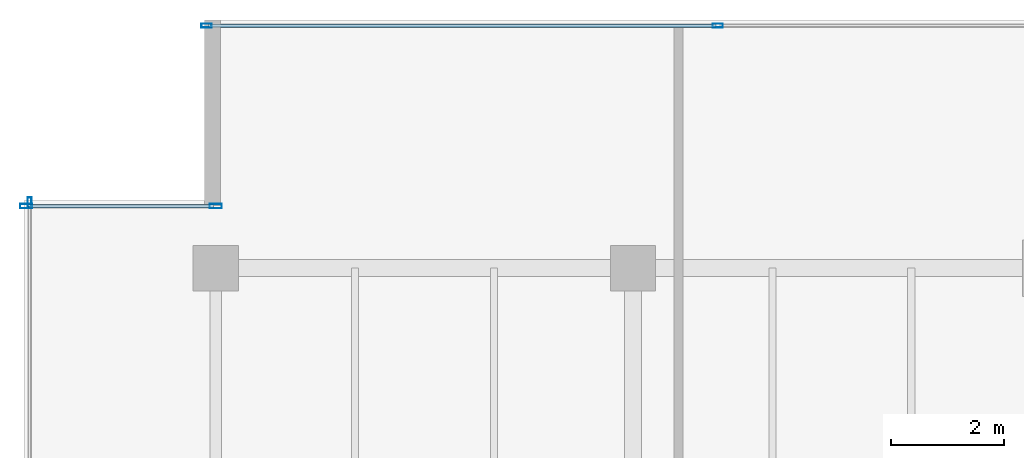
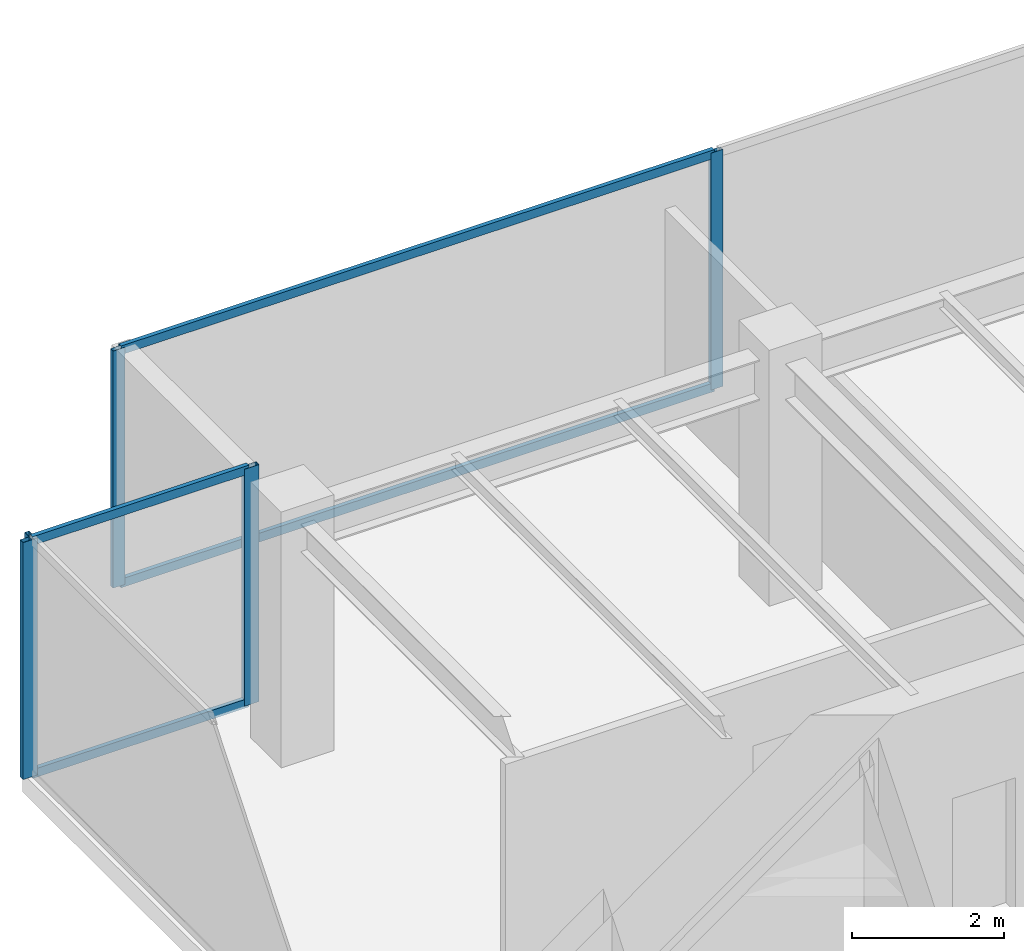
# One storey, part 15 of 33: 9 members, 3 elements without a shape of their own.
"""IFC4 building model written with IfcOpenShell, lengths in metres."""

import ifcopenshell
import ifcopenshell.guid

model = None  # the IFC model being written
_history = None  # IfcOwnerHistory: only IFC2X3 demands one
_inside = {}  # id of a spatial element -> (the spatial element, [elements in it])
_under = {}  # id of a project, library or spatial element -> (it, [spatial elements below it])
_declared = {}  # id of a project -> (the project, [libraries it declares])
_typed = {}  # id of a type object -> (the type object, [elements of that type])
_made_of = {}  # id of a material, layer set ... -> (it, [elements and type objects made of it])


def new_model(schema):
    """Start an empty IFC model of exactly this schema.

    Asked for "IFC4X3", IfcOpenShell would pick the latest addendum, in which some entities
    have other attributes; the version numbers below select the first issue.
    IFC2X3 requires an IfcOwnerHistory on every rooted entity: one is made here for all.
    """
    global model, _history
    if schema == "IFC4X3":
        model = ifcopenshell.file(schema_version=(4, 3, 0, 0))
    else:
        model = ifcopenshell.file(schema=schema)
    _inside.clear()
    _under.clear()
    _declared.clear()
    _typed.clear()
    _made_of.clear()
    _history = None
    if model.schema == "IFC2X3":
        org = make("IfcOrganization", Name="unknown")
        user = make(
            "IfcPersonAndOrganization",
            ThePerson=make("IfcPerson", FamilyName="unknown"),
            TheOrganization=org,
        )
        app = make(
            "IfcApplication",
            ApplicationDeveloper=org,
            Version="unknown",
            ApplicationFullName="unknown",
            ApplicationIdentifier="unknown",
        )
        _history = make(
            "IfcOwnerHistory",
            OwningUser=user,
            OwningApplication=app,
            ChangeAction="ADDED",
            CreationDate=0,
        )
    return model


def make(cls, **values):
    """One entity of the class cls with the attributes given. An attribute that is None is left unset."""
    return model.create_entity(
        cls, **{name: value for name, value in values.items() if value is not None}
    )


def rooted(cls, **values):
    """An entity with a GlobalId (a new one), such as an element, a storey or a relation."""
    return make(cls, GlobalId=ifcopenshell.guid.new(), OwnerHistory=_history, **values)


def si_unit(unit_type, name, prefix=None):
    """IfcSIUnit, for example si_unit("LENGTHUNIT", "METRE", prefix="MILLI")."""
    return make("IfcSIUnit", UnitType=unit_type, Prefix=prefix, Name=name)


def assignment(units):
    """IfcUnitAssignment: the units of a project."""
    return None if units is None else make("IfcUnitAssignment", Units=units)


def point(xyz):
    """IfcCartesianPoint."""
    return None if xyz is None else make("IfcCartesianPoint", Coordinates=xyz)


def direction(xyz):
    """IfcDirection."""
    return None if xyz is None else make("IfcDirection", DirectionRatios=xyz)


def frame(location, z_axis=None, x_axis=None):
    """IfcAxis2Placement3D, a coordinate frame: its origin and axes. An axis left out is left unset."""
    return make(
        "IfcAxis2Placement3D",
        Location=point(location),
        Axis=direction(z_axis),
        RefDirection=direction(x_axis),
    )


def frame_2d(location, x_axis=None):
    """IfcAxis2Placement2D, a coordinate frame in the plane: its origin and x axis."""
    return make(
        "IfcAxis2Placement2D", Location=point(location), RefDirection=direction(x_axis)
    )


def origin():
    """The frame at (0, 0, 0) with its axes left unset."""
    return frame((0.0, 0.0, 0.0))


def origin_2d():
    """The frame at (0, 0) in the plane with its x axis left unset."""
    return frame_2d((0.0, 0.0))


def place(relative_to, where):
    """IfcLocalPlacement: puts the frame where relative to a parent placement (None: the world)."""
    return make(
        "IfcLocalPlacement", PlacementRelTo=relative_to, RelativePlacement=where
    )


def context(
    kind, dimensions, precision=None, world=None, true_north=None, identifier=None
):
    """IfcGeometricRepresentationContext, for example the 3D "Model" context."""
    return make(
        "IfcGeometricRepresentationContext",
        ContextIdentifier=identifier,
        ContextType=kind,
        CoordinateSpaceDimension=dimensions,
        Precision=precision,
        WorldCoordinateSystem=world,
        TrueNorth=true_north,
    )


def subcontext(parent, identifier, kind, view, scale=None):
    """IfcGeometricRepresentationSubContext, for example "Body" below "Model"."""
    return make(
        "IfcGeometricRepresentationSubContext",
        ContextIdentifier=identifier,
        ContextType=kind,
        ParentContext=parent,
        TargetScale=scale,
        TargetView=view,
    )


def project(units=None, contexts=None):
    """IfcProject with its units and contexts."""
    return rooted(
        "IfcProject",
        Name="project",
        RepresentationContexts=contexts,
        UnitsInContext=assignment(units),
    )


def spatial(cls, under=None, at=None, **own):
    """A site, building, storey or space (cls), placed at a placement, below another one or the project."""
    s = rooted(cls, ObjectPlacement=at, **own)
    if under is not None:
        _under.setdefault(under.id(), (under, []))[1].append(s)
    return s


def profile(cls, at=None, kind="AREA", **sizes):
    """A parametric profile (cls). Its sizes go by their IFC names, for example OverallWidth=200.0."""
    return make(cls, ProfileType=kind, Position=at, **sizes)


def hollow_rectangle(**sizes):
    """IfcRectangleHollowProfileDef."""
    return profile("IfcRectangleHollowProfileDef", **sizes)


def extrude(swept, where, along, depth):
    """IfcExtrudedAreaSolid: the profile swept, set in the frame where, extruded along a direction by depth."""
    return make(
        "IfcExtrudedAreaSolid",
        SweptArea=swept,
        Position=where,
        ExtrudedDirection=direction(along),
        Depth=depth,
    )


def shape(context_of_items, identifier, shape_type, items):
    """IfcShapeRepresentation: the items that make up one representation, for example the "Body"."""
    return make(
        "IfcShapeRepresentation",
        ContextOfItems=context_of_items,
        RepresentationIdentifier=identifier,
        RepresentationType=shape_type,
        Items=items,
    )


def source(mapping_origin, context_of_items, identifier, shape_type, items):
    """IfcRepresentationMap: a shape defined once, which mapped items show again and again."""
    return make(
        "IfcRepresentationMap",
        MappingOrigin=mapping_origin,
        MappedRepresentation=shape(context_of_items, identifier, shape_type, items),
    )


def transform(
    local_origin,
    x_axis=None,
    y_axis=None,
    z_axis=None,
    scale=None,
    scale2=None,
    scale3=None,
    uniform=True,
):
    """IfcCartesianTransformationOperator3D, or its non-uniform kind. x_axis, y_axis, z_axis: its Axis1, 2, 3."""
    if uniform:
        return make(
            "IfcCartesianTransformationOperator3D",
            Axis1=direction(x_axis),
            Axis2=direction(y_axis),
            LocalOrigin=point(local_origin),
            Scale=scale,
            Axis3=direction(z_axis),
        )
    return make(
        "IfcCartesianTransformationOperator3DnonUniform",
        Axis1=direction(x_axis),
        Axis2=direction(y_axis),
        LocalOrigin=point(local_origin),
        Scale=scale,
        Axis3=direction(z_axis),
        Scale2=scale2,
        Scale3=scale3,
    )


def mapped(mapping_source, mapping_target):
    """IfcMappedItem: shows the shape of a source again, moved by a transform."""
    return make(
        "IfcMappedItem", MappingSource=mapping_source, MappingTarget=mapping_target
    )


def material(Name=None, Category=None):
    """IfcMaterial."""
    return make("IfcMaterial", Name=Name, Category=Category)


def layer(
    of_material, thickness, ventilated=None, Name=None, Category=None, Priority=None
):
    """IfcMaterialLayer: one layer of a wall or slab, of a material (None: an air gap)."""
    return make(
        "IfcMaterialLayer",
        Material=of_material,
        LayerThickness=thickness,
        IsVentilated=ventilated,
        Name=Name,
        Category=Category,
        Priority=Priority,
    )


def layer_set(layers, Name=None):
    """IfcMaterialLayerSet."""
    return make("IfcMaterialLayerSet", MaterialLayers=layers, LayerSetName=Name)


def material_profile(
    of_material, cross_section, Name=None, Category=None, Priority=None
):
    """IfcMaterialProfile: a cross section and its material."""
    return make(
        "IfcMaterialProfile",
        Name=Name,
        Material=of_material,
        Profile=cross_section,
        Priority=Priority,
        Category=Category,
    )


def profile_set(profiles, Name=None, composite=None):
    """IfcMaterialProfileSet."""
    return make(
        "IfcMaterialProfileSet",
        Name=Name,
        MaterialProfiles=profiles,
        CompositeProfile=composite,
    )


def made_of(thing, what):
    """Note that an element or type object is made of a material, layer set ...; save() writes the relation."""
    if what is not None:
        _made_of.setdefault(what.id(), (what, []))[1].append(thing)
    return thing


def type_object(cls, material=None, **own):
    """A type object (cls), such as IfcWallType, which elements share."""
    return made_of(rooted(cls, **own), material)


def type_shapes(of_type, sources):
    """Give a type object the sources (RepresentationMaps) that its elements show as mapped items."""
    of_type.RepresentationMaps = sources


def element(
    cls,
    number,
    at=None,
    inside=None,
    cuts=None,
    type_object=None,
    material=None,
    context=None,
    identifier="Body",
    shape_type=None,
    held_by="IfcProductDefinitionShape",
    body=None,
    shapes=None,
    **own,
):
    """One element of the class cls, such as IfcWall. Its Tag is "e" and its number.

    at: its placement. inside: the storey or other place that contains it. cuts: it is an
    opening in that element (IfcRelVoidsElement). A single representation is given by context,
    identifier, shape_type and body (its items); several are given by shapes. held_by: the class
    of the entity that holds the representations. save() writes the other relations.
    """
    e = rooted(cls, Tag="e%d" % number, ObjectPlacement=at, **own)
    if body is not None:
        shapes = [shape(context, identifier, shape_type, body)]
    if shapes is not None:
        e.Representation = make(held_by, Representations=shapes)
    if inside is not None:
        _inside.setdefault(inside.id(), (inside, []))[1].append(e)
    if cuts is not None:
        rooted(
            "IfcRelVoidsElement", RelatingBuildingElement=cuts, RelatedOpeningElement=e
        )
    if type_object is not None:
        _typed.setdefault(type_object.id(), (type_object, []))[1].append(e)
    return made_of(e, material)


def aggregate(whole, parts):
    """IfcRelAggregates: a whole, such as a stair, and the parts it consists of."""
    return rooted("IfcRelAggregates", RelatingObject=whole, RelatedObjects=parts)


def save(model, path):
    """Write the relations noted so far, then the file.

    IfcRelAggregates (storeys below a building ...), IfcRelContainedInSpatialStructure (elements
    in a storey), IfcRelDefinesByType, IfcRelAssociatesMaterial and IfcRelDeclares: one each for
    every whole, place, type object, material and project.
    """
    for whole, parts in _under.values():
        aggregate(whole, parts)
    for where, things in _inside.values():
        rooted(
            "IfcRelContainedInSpatialStructure",
            RelatedElements=things,
            RelatingStructure=where,
        )
    for kind, things in _typed.values():
        rooted("IfcRelDefinesByType", RelatedObjects=things, RelatingType=kind)
    for what, things in _made_of.values():
        rooted("IfcRelAssociatesMaterial", RelatedObjects=things, RelatingMaterial=what)
    for by, libraries in _declared.values():
        rooted("IfcRelDeclares", RelatingContext=by, RelatedDefinitions=libraries)
    model.write(path)


model = new_model("IFC4")

# Units and contexts
model_context = context("Model", 3, precision=1e-05, world=origin(), true_north=direction((0.0, 1.0)))
body_context = subcontext(model_context, "Body", "Model", "MODEL_VIEW")
ifc_project = project(units=[si_unit("LENGTHUNIT", "METRE"), si_unit("AREAUNIT", "SQUARE_METRE"), si_unit("VOLUMEUNIT", "CUBIC_METRE"), si_unit("PLANEANGLEUNIT", "RADIAN"), si_unit("MASSUNIT", "GRAM", prefix="KILO")], contexts=[model_context])

# Site, building, storey
site_placement = place(None, origin())
site = spatial("IfcSite", under=ifc_project, at=site_placement, CompositionType="ELEMENT")
building_placement = place(site_placement, origin())
building = spatial("IfcBuilding", under=site, at=building_placement, Name="Haelvirn Gate Laboratories", CompositionType="ELEMENT")
storey_placement = place(building_placement, frame((0.0, 0.0, 287.5)))
storey = spatial("IfcBuildingStorey", under=building, at=storey_placement, Name="L69", CompositionType="ELEMENT", Elevation=287.5)

# Curtain wall, members
ifc_material_1 = material(Name="Anodised bronze unitised aluminium & triple low-E glass", Category="aluminium")
ifc_layer_1 = layer(ifc_material_1, 0.181884765625, Name="CW-SYS-5")
ifc_layer_set_1 = layer_set([ifc_layer_1], Name="Anodised bronze unitised aluminium & triple low-E glass")
curtain_wall_type_1 = type_object("IfcCurtainWallType", Name="CW-SYS-5", PredefinedType="NOTDEFINED", material=ifc_layer_set_1)
curtain_wall_1_placement = place(storey_placement, origin())
curtain_wall_1 = element("IfcCurtainWall", 1, at=curtain_wall_1_placement, inside=storey, type_object=curtain_wall_type_1, Name="L69 Unitised Curtain Wall CW-L69-P0-E16-1", PredefinedType="NOTDEFINED")
ifc_material_2 = material(Name="Extruded aluminium 6063-T6 (anodised bronze)", Category="aluminium")
ifc_material_profile_1 = material_profile(ifc_material_2, hollow_rectangle(XDim=0.06494140625, YDim=0.139892578125, WallThickness=0.00390625, at=origin_2d()), Name="CWT-140x65x4")
ifc_profile_set_1 = profile_set([ifc_material_profile_1], Name="Extruded aluminium 6063-T6 (anodised bronze)")
member_type_1 = type_object("IfcMemberType", Name="CWT-T140", PredefinedType="USERDEFINED", material=ifc_profile_set_1)
shared_shape_1 = source(origin(), body_context, "Body", "SweptSolid", [
    extrude(hollow_rectangle(XDim=0.06494140625, YDim=0.139892578125, WallThickness=0.00390625, at=origin_2d()), origin(), (0.0, 0.0, 1.0), 3.280029296875),
])
member_1_placement = place(storey_placement, frame((4.080078125, 42.699951171875, 0.032470703125), z_axis=(1.0, 0.0, 0.0), x_axis=(0.0, 1.0, 0.0)))
member_1 = element("IfcMember", 2, at=member_1_placement, type_object=member_type_1, Name="CW5 transom 1.1", ObjectType="TRANSOM", PredefinedType="USERDEFINED", context=body_context, shape_type="MappedRepresentation", body=[
    mapped(shared_shape_1, transform((0.0, 0.0, 0.0), scale=1.0)),
])
member_2_placement = place(storey_placement, frame((4.080078125, 42.699951171875, 3.767578125), z_axis=(1.0, 0.0, 0.0), x_axis=(0.0, 1.0, 0.0)))
member_2 = element("IfcMember", 3, at=member_2_placement, type_object=member_type_1, Name="CW5 transom 1.2", ObjectType="TRANSOM", PredefinedType="USERDEFINED", context=body_context, shape_type="MappedRepresentation", body=[
    mapped(shared_shape_1, transform((0.0, 0.0, 0.0), scale=1.0)),
])

ifc_layer_2 = layer(ifc_material_1, 0.176025390625, Name="CW-SYS-4")
ifc_layer_set_2 = layer_set([ifc_layer_2], Name="Anodised bronze unitised aluminium & triple low-E glass")
curtain_wall_type_2 = type_object("IfcCurtainWallType", Name="CW-SYS-4", PredefinedType="NOTDEFINED", material=ifc_layer_set_2)
curtain_wall_2_placement = place(storey_placement, origin())
curtain_wall_2 = element("IfcCurtainWall", 4, at=curtain_wall_2_placement, inside=storey, type_object=curtain_wall_type_2, Name="L69 Unitised Curtain Wall CW-L69-P0-E14-1", PredefinedType="NOTDEFINED")
ifc_material_profile_2 = material_profile(ifc_material_2, hollow_rectangle(XDim=0.070068359375, YDim=0.179931640625, WallThickness=0.0048828125, at=origin_2d()), Name="CWM-180x70x5")
ifc_profile_set_2 = profile_set([ifc_material_profile_2], Name="Extruded aluminium 6063-T6 (anodised bronze)")
member_type_2 = type_object("IfcMemberType", Name="CWM-T180", PredefinedType="MULLION", material=ifc_profile_set_2)
shared_shape_2 = source(origin(), body_context, "Body", "SweptSolid", [
    extrude(hollow_rectangle(XDim=0.070068359375, YDim=0.179931640625, WallThickness=0.0048828125, at=origin_2d()), origin(), (0.0, 0.0, 1.0), 3.800048828125),
])
type_shapes(member_type_2, [shared_shape_2])
member_3_placement = place(storey_placement, frame((7.235107421875, 45.89990234375, 0.0), z_axis=(0.0, 0.0, 1.0), x_axis=(0.0, 1.0, 0.0)))
member_3 = element("IfcMember", 5, at=member_3_placement, type_object=member_type_2, Name="CW4 mullion 1", PredefinedType="MULLION", context=body_context, shape_type="MappedRepresentation", body=[
    mapped(shared_shape_2, transform((0.0, 0.0, 0.0), scale=1.0)),
])
member_4_placement = place(storey_placement, frame((16.300048828125, 45.89990234375, 0.0), z_axis=(0.0, 0.0, 1.0), x_axis=(0.0, 1.0, 0.0)))
member_4 = element("IfcMember", 6, at=member_4_placement, type_object=member_type_2, Name="CW4 mullion 2", PredefinedType="MULLION", context=body_context, shape_type="MappedRepresentation", body=[
    mapped(shared_shape_2, transform((0.0, 0.0, 0.0), scale=1.0)),
])

# Curtain wall, member
curtain_wall_3_placement = place(storey_placement, origin())
curtain_wall_3 = element("IfcCurtainWall", 7, at=curtain_wall_3_placement, inside=storey, type_object=curtain_wall_type_2, Name="L69 Unitised Curtain Wall CW-L69-P0-E17", PredefinedType="NOTDEFINED")
member_5_placement = place(storey_placement, frame((4.10009765625, 42.764892578125, 0.0), z_axis=(0.0, 0.0, 1.0), x_axis=(1.0, 0.0, 0.0)))
member_5 = element("IfcMember", 8, at=member_5_placement, type_object=member_type_2, Name="CW4 mullion 1", PredefinedType="MULLION", context=body_context, shape_type="MappedRepresentation", body=[
    mapped(shared_shape_2, transform((0.0, 0.0, 0.0), scale=1.0)),
])
aggregate(curtain_wall_3, [member_5])

# Member
shared_shape_3 = source(origin(), body_context, "Body", "SweptSolid", [
    extrude(hollow_rectangle(XDim=0.06494140625, YDim=0.139892578125, WallThickness=0.00390625, at=origin_2d()), origin(), (0.0, 0.0, 1.0), 8.994873046875),
])
type_shapes(member_type_1, [shared_shape_1, shared_shape_3])
member_6_placement = place(storey_placement, frame((7.27001953125, 45.89990234375, 0.032470703125), z_axis=(1.0, 0.0, 0.0), x_axis=(0.0, 1.0, 0.0)))
member_6 = element("IfcMember", 9, at=member_6_placement, type_object=member_type_1, Name="CW4 transom 1.1", ObjectType="TRANSOM", PredefinedType="USERDEFINED", context=body_context, shape_type="MappedRepresentation", body=[
    mapped(shared_shape_3, transform((0.0, 0.0, 0.0), scale=1.0)),
])

member_7_placement = place(storey_placement, frame((7.27001953125, 45.89990234375, 3.767578125), z_axis=(1.0, 0.0, 0.0), x_axis=(0.0, 1.0, 0.0)))
member_7 = element("IfcMember", 10, at=member_7_placement, type_object=member_type_1, Name="CW4 transom 1.2", ObjectType="TRANSOM", PredefinedType="USERDEFINED", context=body_context, shape_type="MappedRepresentation", body=[
    mapped(shared_shape_3, transform((0.0, 0.0, 0.0), scale=1.0)),
])

aggregate(curtain_wall_2, [member_3, member_4, member_6, member_7])

ifc_material_profile_3 = material_profile(ifc_material_2, hollow_rectangle(XDim=0.080078125, YDim=0.219970703125, WallThickness=0.006103515625, at=origin_2d()), Name="CWM-220x80x6")
ifc_profile_set_3 = profile_set([ifc_material_profile_3], Name="Extruded aluminium 6063-T6 (anodised bronze)")
member_type_3 = type_object("IfcMemberType", Name="CWM-T220", PredefinedType="MULLION", material=ifc_profile_set_3)
shared_shape_4 = source(origin(), body_context, "Body", "SweptSolid", [
    extrude(hollow_rectangle(XDim=0.080078125, YDim=0.219970703125, WallThickness=0.006103515625, at=origin_2d()), origin(), (0.0, 0.0, 1.0), 3.800048828125),
])
type_shapes(member_type_3, [shared_shape_4])
member_8_placement = place(storey_placement, frame((4.0400390625, 42.699951171875, 0.0), z_axis=(0.0, 0.0, 1.0), x_axis=(0.0, 1.0, 0.0)))
member_8 = element("IfcMember", 11, at=member_8_placement, type_object=member_type_3, Name="CW5 mullion 1", PredefinedType="MULLION", context=body_context, shape_type="MappedRepresentation", body=[
    mapped(shared_shape_4, transform((0.0, 0.0, 0.0), scale=1.0)),
])

member_9_placement = place(storey_placement, frame((7.39990234375, 42.699951171875, 0.0), z_axis=(0.0, 0.0, 1.0), x_axis=(0.0, 1.0, 0.0)))
member_9 = element("IfcMember", 12, at=member_9_placement, type_object=member_type_3, Name="CW5 mullion 2", PredefinedType="MULLION", context=body_context, shape_type="MappedRepresentation", body=[
    mapped(shared_shape_4, transform((0.0, 0.0, 0.0), scale=1.0)),
])

aggregate(curtain_wall_1, [member_8, member_9, member_1, member_2])

save(model, "model.ifc")
